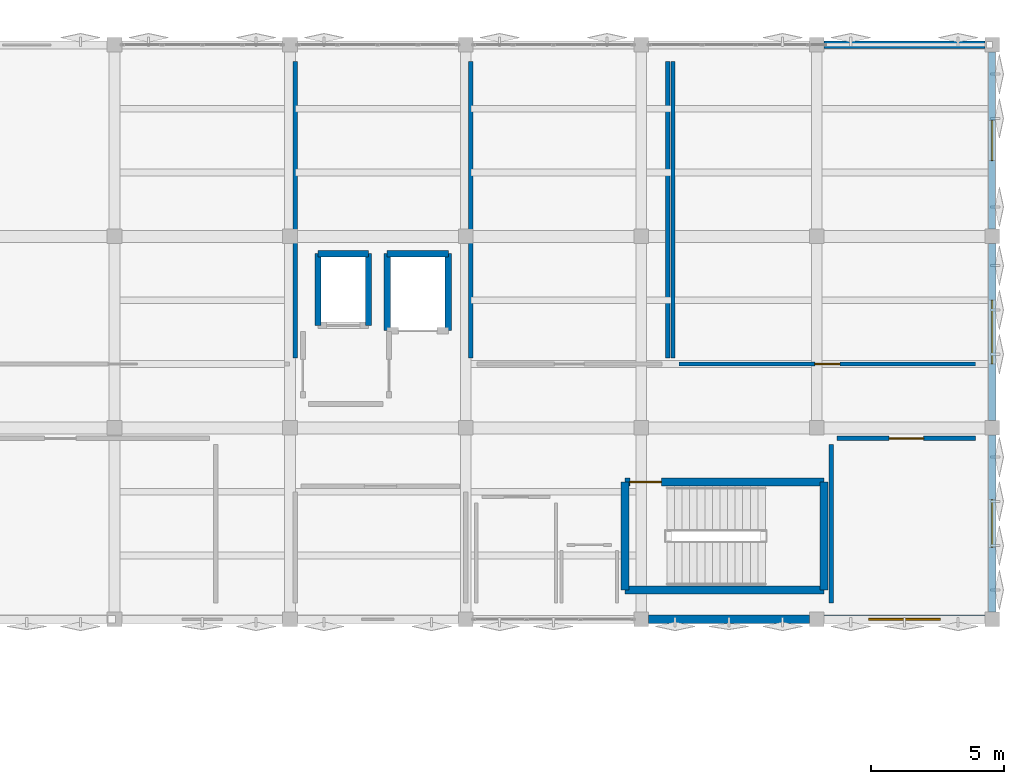
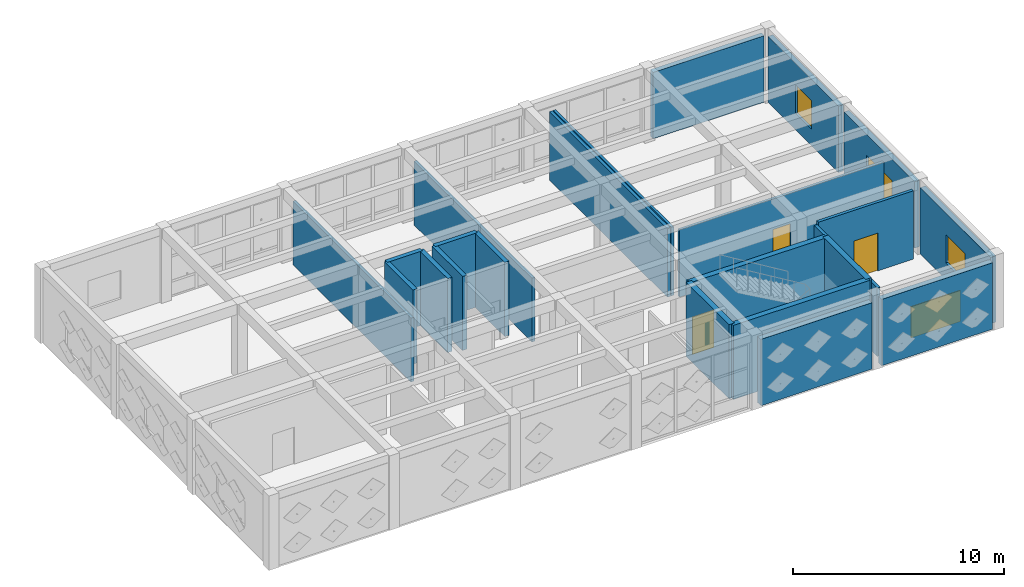
# One storey, part 30 of 36: 23 walls, 4 windows, 3 doors, 7 openings.
"""IFC4 building model written with IfcOpenShell, lengths in metres."""

import ifcopenshell
import ifcopenshell.guid

model = None  # the IFC model being written
_history = None  # IfcOwnerHistory: only IFC2X3 demands one
_inside = {}  # id of a spatial element -> (the spatial element, [elements in it])
_under = {}  # id of a project, library or spatial element -> (it, [spatial elements below it])
_declared = {}  # id of a project -> (the project, [libraries it declares])
_typed = {}  # id of a type object -> (the type object, [elements of that type])
_made_of = {}  # id of a material, layer set ... -> (it, [elements and type objects made of it])


def new_model(schema):
    """Start an empty IFC model of exactly this schema.

    Asked for "IFC4X3", IfcOpenShell would pick the latest addendum, in which some entities
    have other attributes; the version numbers below select the first issue.
    IFC2X3 requires an IfcOwnerHistory on every rooted entity: one is made here for all.
    """
    global model, _history
    if schema == "IFC4X3":
        model = ifcopenshell.file(schema_version=(4, 3, 0, 0))
    else:
        model = ifcopenshell.file(schema=schema)
    _inside.clear()
    _under.clear()
    _declared.clear()
    _typed.clear()
    _made_of.clear()
    _history = None
    if model.schema == "IFC2X3":
        org = make("IfcOrganization", Name="unknown")
        user = make(
            "IfcPersonAndOrganization",
            ThePerson=make("IfcPerson", FamilyName="unknown"),
            TheOrganization=org,
        )
        app = make(
            "IfcApplication",
            ApplicationDeveloper=org,
            Version="unknown",
            ApplicationFullName="unknown",
            ApplicationIdentifier="unknown",
        )
        _history = make(
            "IfcOwnerHistory",
            OwningUser=user,
            OwningApplication=app,
            ChangeAction="ADDED",
            CreationDate=0,
        )
    return model


def make(cls, **values):
    """One entity of the class cls with the attributes given. An attribute that is None is left unset."""
    return model.create_entity(
        cls, **{name: value for name, value in values.items() if value is not None}
    )


def rooted(cls, **values):
    """An entity with a GlobalId (a new one), such as an element, a storey or a relation."""
    return make(cls, GlobalId=ifcopenshell.guid.new(), OwnerHistory=_history, **values)


def si_unit(unit_type, name, prefix=None):
    """IfcSIUnit, for example si_unit("LENGTHUNIT", "METRE", prefix="MILLI")."""
    return make("IfcSIUnit", UnitType=unit_type, Prefix=prefix, Name=name)


def assignment(units):
    """IfcUnitAssignment: the units of a project."""
    return None if units is None else make("IfcUnitAssignment", Units=units)


def point(xyz):
    """IfcCartesianPoint."""
    return None if xyz is None else make("IfcCartesianPoint", Coordinates=xyz)


def direction(xyz):
    """IfcDirection."""
    return None if xyz is None else make("IfcDirection", DirectionRatios=xyz)


def frame(location, z_axis=None, x_axis=None):
    """IfcAxis2Placement3D, a coordinate frame: its origin and axes. An axis left out is left unset."""
    return make(
        "IfcAxis2Placement3D",
        Location=point(location),
        Axis=direction(z_axis),
        RefDirection=direction(x_axis),
    )


def frame_2d(location, x_axis=None):
    """IfcAxis2Placement2D, a coordinate frame in the plane: its origin and x axis."""
    return make(
        "IfcAxis2Placement2D", Location=point(location), RefDirection=direction(x_axis)
    )


def origin():
    """The frame at (0, 0, 0) with its axes left unset."""
    return frame((0.0, 0.0, 0.0))


def place(relative_to, where):
    """IfcLocalPlacement: puts the frame where relative to a parent placement (None: the world)."""
    return make(
        "IfcLocalPlacement", PlacementRelTo=relative_to, RelativePlacement=where
    )


def context(
    kind, dimensions, precision=None, world=None, true_north=None, identifier=None
):
    """IfcGeometricRepresentationContext, for example the 3D "Model" context."""
    return make(
        "IfcGeometricRepresentationContext",
        ContextIdentifier=identifier,
        ContextType=kind,
        CoordinateSpaceDimension=dimensions,
        Precision=precision,
        WorldCoordinateSystem=world,
        TrueNorth=true_north,
    )


def subcontext(parent, identifier, kind, view, scale=None):
    """IfcGeometricRepresentationSubContext, for example "Body" below "Model"."""
    return make(
        "IfcGeometricRepresentationSubContext",
        ContextIdentifier=identifier,
        ContextType=kind,
        ParentContext=parent,
        TargetScale=scale,
        TargetView=view,
    )


def project(units=None, contexts=None):
    """IfcProject with its units and contexts."""
    return rooted(
        "IfcProject",
        Name="project",
        RepresentationContexts=contexts,
        UnitsInContext=assignment(units),
    )


def spatial(cls, under=None, at=None, **own):
    """A site, building, storey or space (cls), placed at a placement, below another one or the project."""
    s = rooted(cls, ObjectPlacement=at, **own)
    if under is not None:
        _under.setdefault(under.id(), (under, []))[1].append(s)
    return s


def profile(cls, at=None, kind="AREA", **sizes):
    """A parametric profile (cls). Its sizes go by their IFC names, for example OverallWidth=200.0."""
    return make(cls, ProfileType=kind, Position=at, **sizes)


def rectangle(**sizes):
    """IfcRectangleProfileDef."""
    return profile("IfcRectangleProfileDef", **sizes)


def extrude(swept, where, along, depth):
    """IfcExtrudedAreaSolid: the profile swept, set in the frame where, extruded along a direction by depth."""
    return make(
        "IfcExtrudedAreaSolid",
        SweptArea=swept,
        Position=where,
        ExtrudedDirection=direction(along),
        Depth=depth,
    )


def shape(context_of_items, identifier, shape_type, items):
    """IfcShapeRepresentation: the items that make up one representation, for example the "Body"."""
    return make(
        "IfcShapeRepresentation",
        ContextOfItems=context_of_items,
        RepresentationIdentifier=identifier,
        RepresentationType=shape_type,
        Items=items,
    )


def material(Name=None, Category=None):
    """IfcMaterial."""
    return make("IfcMaterial", Name=Name, Category=Category)


def layer(
    of_material, thickness, ventilated=None, Name=None, Category=None, Priority=None
):
    """IfcMaterialLayer: one layer of a wall or slab, of a material (None: an air gap)."""
    return make(
        "IfcMaterialLayer",
        Material=of_material,
        LayerThickness=thickness,
        IsVentilated=ventilated,
        Name=Name,
        Category=Category,
        Priority=Priority,
    )


def layer_set(layers, Name=None):
    """IfcMaterialLayerSet."""
    return make("IfcMaterialLayerSet", MaterialLayers=layers, LayerSetName=Name)


def made_of(thing, what):
    """Note that an element or type object is made of a material, layer set ...; save() writes the relation."""
    if what is not None:
        _made_of.setdefault(what.id(), (what, []))[1].append(thing)
    return thing


def type_object(cls, material=None, **own):
    """A type object (cls), such as IfcWallType, which elements share."""
    return made_of(rooted(cls, **own), material)


def element(
    cls,
    number,
    at=None,
    inside=None,
    cuts=None,
    type_object=None,
    material=None,
    context=None,
    identifier="Body",
    shape_type=None,
    held_by="IfcProductDefinitionShape",
    body=None,
    shapes=None,
    **own,
):
    """One element of the class cls, such as IfcWall. Its Tag is "e" and its number.

    at: its placement. inside: the storey or other place that contains it. cuts: it is an
    opening in that element (IfcRelVoidsElement). A single representation is given by context,
    identifier, shape_type and body (its items); several are given by shapes. held_by: the class
    of the entity that holds the representations. save() writes the other relations.
    """
    e = rooted(cls, Tag="e%d" % number, ObjectPlacement=at, **own)
    if body is not None:
        shapes = [shape(context, identifier, shape_type, body)]
    if shapes is not None:
        e.Representation = make(held_by, Representations=shapes)
    if inside is not None:
        _inside.setdefault(inside.id(), (inside, []))[1].append(e)
    if cuts is not None:
        rooted(
            "IfcRelVoidsElement", RelatingBuildingElement=cuts, RelatedOpeningElement=e
        )
    if type_object is not None:
        _typed.setdefault(type_object.id(), (type_object, []))[1].append(e)
    return made_of(e, material)


def fill(opening, filler):
    """IfcRelFillsElement: the door or window that sits in an opening."""
    return rooted(
        "IfcRelFillsElement",
        RelatingOpeningElement=opening,
        RelatedBuildingElement=filler,
    )


def aggregate(whole, parts):
    """IfcRelAggregates: a whole, such as a stair, and the parts it consists of."""
    return rooted("IfcRelAggregates", RelatingObject=whole, RelatedObjects=parts)


def save(model, path):
    """Write the relations noted so far, then the file.

    IfcRelAggregates (storeys below a building ...), IfcRelContainedInSpatialStructure (elements
    in a storey), IfcRelDefinesByType, IfcRelAssociatesMaterial and IfcRelDeclares: one each for
    every whole, place, type object, material and project.
    """
    for whole, parts in _under.values():
        aggregate(whole, parts)
    for where, things in _inside.values():
        rooted(
            "IfcRelContainedInSpatialStructure",
            RelatedElements=things,
            RelatingStructure=where,
        )
    for kind, things in _typed.values():
        rooted("IfcRelDefinesByType", RelatedObjects=things, RelatingType=kind)
    for what, things in _made_of.values():
        rooted("IfcRelAssociatesMaterial", RelatedObjects=things, RelatingMaterial=what)
    for by, libraries in _declared.values():
        rooted("IfcRelDeclares", RelatingContext=by, RelatedDefinitions=libraries)
    model.write(path)


model = new_model("IFC4")

# Units and contexts
model_context = context("Model", 3, precision=1e-05, world=origin(), true_north=direction((0.0, 1.0)))
body_context = subcontext(model_context, "Body", "Model", "MODEL_VIEW")
ifc_project = project(units=[si_unit("LENGTHUNIT", "METRE"), si_unit("AREAUNIT", "SQUARE_METRE"), si_unit("VOLUMEUNIT", "CUBIC_METRE"), si_unit("PLANEANGLEUNIT", "RADIAN"), si_unit("MASSUNIT", "GRAM", prefix="KILO")], contexts=[model_context])

# Site, building, storey
site_placement = place(None, origin())
site = spatial("IfcSite", under=ifc_project, at=site_placement, CompositionType="ELEMENT")
building_placement = place(site_placement, origin())
building = spatial("IfcBuilding", under=site, at=building_placement, Name="Kharisveld Research Institute", CompositionType="ELEMENT")
storey_placement = place(building_placement, frame((0.0, 0.0, 27.60009765625)))
storey = spatial("IfcBuildingStorey", under=building, at=storey_placement, Name="L06", CompositionType="ELEMENT", Elevation=27.60009765625)

# Walls
ifc_material_1 = material(Name="Concrete C40/50", Category="concrete")
ifc_layer_1 = layer(ifc_material_1, 0.239990234375)
ifc_layer_set_1 = layer_set([ifc_layer_1], Name="WL_CORE_240")
wall_type_1 = type_object("IfcWallType", Name="WL_CORE_240", PredefinedType="SHEAR", material=ifc_layer_set_1)
wall_1_placement = place(storey_placement, frame((135.449951171875, 50.25, 0.0), z_axis=(0.0, 0.0, 1.0), x_axis=(0.0, 1.0, 0.0)))
element("IfcWall", 1, at=wall_1_placement, inside=storey, type_object=wall_type_1, Name="WL:LFT:FFL-02:L06:W", PredefinedType="SHEAR", context=body_context, shape_type="SweptSolid", body=[
    extrude(rectangle(XDim=2.699951171875, YDim=0.239990234375, at=frame_2d((1.35009765625, 0.0))), origin(), (0.0, 0.0, 1.0), 4.27978515625),
])
wall_2_placement = place(storey_placement, frame((135.449951171875, 52.949951171875, 0.0), z_axis=(0.0, 0.0, 1.0), x_axis=(1.0, 0.0, 0.0)))
element("IfcWall", 2, at=wall_2_placement, inside=storey, type_object=wall_type_1, Name="WL:LFT:FFL-02:L06:N", PredefinedType="SHEAR", context=body_context, shape_type="SweptSolid", body=[
    extrude(rectangle(XDim=1.900146484375, YDim=0.239990234375, at=frame_2d((0.9501953125, 0.0))), origin(), (0.0, 0.0, 1.0), 4.27978515625),
])
wall_3_placement = place(storey_placement, frame((137.35009765625, 52.949951171875, 0.0), z_axis=(0.0, 0.0, 1.0), x_axis=(0.0, -1.0, 0.0)))
element("IfcWall", 3, at=wall_3_placement, inside=storey, type_object=wall_type_1, Name="WL:LFT:FFL-02:L06:E", PredefinedType="SHEAR", context=body_context, shape_type="SweptSolid", body=[
    extrude(rectangle(XDim=2.699951171875, YDim=0.239990234375, at=frame_2d((1.35009765625, 0.0))), origin(), (0.0, 0.0, 1.0), 4.27978515625),
])
wall_4_placement = place(storey_placement, frame((138.050048828125, 50.050048828125, 0.0), z_axis=(0.0, 0.0, 1.0), x_axis=(0.0, 1.0, 0.0)))
element("IfcWall", 4, at=wall_4_placement, inside=storey, type_object=wall_type_1, Name="WL:LFT:GL-01:L06:W", PredefinedType="SHEAR", context=body_context, shape_type="SweptSolid", body=[
    extrude(rectangle(XDim=2.89990234375, YDim=0.239990234375, at=frame_2d((1.449951171875, 0.0))), origin(), (0.0, 0.0, 1.0), 4.27978515625),
])
wall_5_placement = place(storey_placement, frame((138.050048828125, 52.949951171875, 0.0), z_axis=(0.0, 0.0, 1.0), x_axis=(1.0, 0.0, 0.0)))
element("IfcWall", 5, at=wall_5_placement, inside=storey, type_object=wall_type_1, Name="WL:LFT:GL-01:L06:N", PredefinedType="SHEAR", context=body_context, shape_type="SweptSolid", body=[
    extrude(rectangle(XDim=2.300048828125, YDim=0.239990234375, at=frame_2d((1.14990234375, 0.0))), origin(), (0.0, 0.0, 1.0), 4.27978515625),
])
wall_6_placement = place(storey_placement, frame((140.35009765625, 52.949951171875, 0.0), z_axis=(0.0, 0.0, 1.0), x_axis=(0.0, -1.0, 0.0)))
element("IfcWall", 6, at=wall_6_placement, inside=storey, type_object=wall_type_1, Name="WL:LFT:GL-01:L06:E", PredefinedType="SHEAR", context=body_context, shape_type="SweptSolid", body=[
    extrude(rectangle(XDim=2.89990234375, YDim=0.239990234375, at=frame_2d((1.449951171875, 0.0))), origin(), (0.0, 0.0, 1.0), 4.27978515625),
])
ifc_material_2 = material(Name="Concrete C40/50", Category="concrete")
ifc_layer_2 = layer(ifc_material_2, 0.300048828125)
ifc_layer_set_2 = layer_set([ifc_layer_2], Name="WL_CORE_300")
wall_type_2 = type_object("IfcWallType", Name="WL_CORE_300", PredefinedType="SHEAR", material=ifc_layer_set_2)
wall_7_placement = place(storey_placement, frame((147.0, 40.300048828125, 0.0), z_axis=(0.0, 0.0, 1.0), x_axis=(0.0, 1.0, 0.0)))
element("IfcWall", 7, at=wall_7_placement, inside=storey, type_object=wall_type_2, Name="WL:STR:ST3:L06:W", PredefinedType="SHEAR", context=body_context, shape_type="SweptSolid", body=[
    extrude(rectangle(XDim=4.06005859375, YDim=0.300048828125, at=frame_2d((2.030029296875, 0.0))), origin(), (0.0, 0.0, 1.0), 4.27978515625),
])

# Wall, opening, door
wall_8_placement = place(storey_placement, frame((147.0, 44.360107421875, 0.0), z_axis=(0.0, 0.0, 1.0), x_axis=(1.0, 0.0, 0.0)))
wall_8 = element("IfcWall", 8, at=wall_8_placement, inside=storey, type_object=wall_type_2, Name="WL:STR:ST3:L06:N", PredefinedType="SHEAR", context=body_context, shape_type="SweptSolid", body=[
    extrude(rectangle(XDim=7.469970703125, YDim=0.300048828125, at=frame_2d((3.73486328125, 0.0))), origin(), (0.0, 0.0, 1.0), 4.27978515625),
])
opening_1_placement = place(wall_8_placement, frame((0.179931640625, 0.0, 0.0)))
opening_1 = element("IfcOpeningElement", 9, at=opening_1_placement, cuts=wall_8, Name="Opening DS-034", PredefinedType="OPENING", context=body_context, shape_type="SweptSolid", body=[
    extrude(rectangle(XDim=1.179931640625, YDim=2.14990234375, at=frame_2d((0.58984375, 1.074951171875))), frame((0.0, 0.14990234375, 0.0), z_axis=(0.0, -1.0, 0.0), x_axis=(1.0, 0.0, 0.0)), (0.0, 0.0, 1.0), 0.300048828125),
])
ifc_material_3 = material(Name="Flush Painted Hardwood and Anodised Aluminium", Category="wood")
door_type_1 = type_object("IfcDoorType", Name="DR_FD60_118", OperationType="NOTDEFINED", PredefinedType="DOOR", material=ifc_material_3)
door_1_placement = place(opening_1_placement, origin())
door_1 = element("IfcDoor", 10, at=door_1_placement, inside=storey, type_object=door_type_1, Name="DR:STR:ST3:L06", OperationType="SINGLE_SWING_LEFT", OverallHeight=2.14990234375, OverallWidth=1.179931640625, PredefinedType="DOOR", context=body_context, shape_type="SweptSolid", body=[
    extrude(rectangle(XDim=1.179931640625, YDim=2.14990234375, at=frame_2d((0.58984375, 1.074951171875))), frame((0.0, 0.02490234375, 0.0), z_axis=(0.0, -1.0, 0.0), x_axis=(1.0, 0.0, 0.0)), (0.0, 0.0, 1.0), 0.050048828125),
])
fill(opening_1, door_1)

# Walls
wall_9_placement = place(storey_placement, frame((154.469970703125, 44.360107421875, 0.0), z_axis=(0.0, 0.0, 1.0), x_axis=(0.0, -1.0, 0.0)))
element("IfcWall", 11, at=wall_9_placement, inside=storey, type_object=wall_type_2, Name="WL:STR:ST3:L06:E", PredefinedType="SHEAR", context=body_context, shape_type="SweptSolid", body=[
    extrude(rectangle(XDim=4.06005859375, YDim=0.300048828125, at=frame_2d((2.030029296875, 0.0))), origin(), (0.0, 0.0, 1.0), 4.27978515625),
])
wall_10_placement = place(storey_placement, frame((154.469970703125, 40.300048828125, 0.0), z_axis=(0.0, 0.0, 1.0), x_axis=(-1.0, 0.0, 0.0)))
element("IfcWall", 12, at=wall_10_placement, inside=storey, type_object=wall_type_2, Name="WL:STR:ST3:L06:S", PredefinedType="SHEAR", context=body_context, shape_type="SweptSolid", body=[
    extrude(rectangle(XDim=7.469970703125, YDim=0.300048828125, at=frame_2d((3.73486328125, 0.0))), origin(), (0.0, 0.0, 1.0), 4.27978515625),
])

# Wall, opening, window
ifc_material_4 = material(Name="Precast Concrete C40/50 Thermal Wall", Category="concrete")
ifc_layer_3 = layer(ifc_material_4, 0.260009765625)
ifc_layer_set_3 = layer_set([ifc_layer_3], Name="WL_EXT_260")
wall_type_3 = type_object("IfcWallType", Name="WL_EXT_260", PredefinedType="STANDARD", material=ifc_layer_set_3)
wall_11_placement = place(storey_placement, frame((160.800048828125, 60.530029296875, 0.0), z_axis=(0.0, 0.0, 1.0), x_axis=(0.0, -1.0, 0.0)))
wall_11 = element("IfcWall", 13, at=wall_11_placement, inside=storey, type_object=wall_type_3, Name="WL:V2:L06:E3", PredefinedType="STANDARD", context=body_context, shape_type="SweptSolid", body=[
    extrude(rectangle(XDim=6.659912109375, YDim=0.260009765625, at=frame_2d((3.330078125, 0.0))), origin(), (0.0, 0.0, 1.0), 3.8349609375),
])
opening_2_placement = place(wall_11_placement, frame((2.580078125, 0.0, 0.949951171875)))
opening_2 = element("IfcOpeningElement", 14, at=opening_2_placement, cuts=wall_11, Name="Opening WN-03", PredefinedType="OPENING", context=body_context, shape_type="SweptSolid", body=[
    extrude(rectangle(XDim=1.5, YDim=1.64990234375, at=frame_2d((0.75, 0.824951171875))), frame((0.0, 0.1298828125, 0.0), z_axis=(0.0, -1.0, 0.0), x_axis=(1.0, 0.0, 0.0)), (0.0, 0.0, 1.0), 0.260009765625),
])
ifc_material_5 = material(Name="Low-E Double Glazing", Category="glass")
window_type_1 = type_object("IfcWindowType", Name="WN_03", PartitioningType="DOUBLE_PANEL_VERTICAL", PredefinedType="WINDOW", material=ifc_material_5)
window_1_placement = place(opening_2_placement, origin())
window_1 = element("IfcWindow", 15, at=window_1_placement, inside=storey, type_object=window_type_1, Name="WN:V2:L06:E3", OverallHeight=1.64990234375, OverallWidth=1.5, PartitioningType="SINGLE_PANEL", PredefinedType="WINDOW", context=body_context, shape_type="SweptSolid", body=[
    extrude(rectangle(XDim=1.5, YDim=1.64990234375, at=frame_2d((0.75, 0.824951171875))), frame((0.0, 0.030029296875, 0.0), z_axis=(0.0, -1.0, 0.0), x_axis=(1.0, 0.0, 0.0)), (0.0, 0.0, 1.0), 0.06005859375),
])
fill(opening_2, window_1)

# Wall
ifc_material_6 = material(Name="Precast Concrete C40/50 Thermal Wall", Category="concrete")
ifc_layer_4 = layer(ifc_material_6, 0.27490234375)
ifc_layer_set_4 = layer_set([ifc_layer_4], Name="WL_EXT_275")
wall_type_4 = type_object("IfcWallType", Name="WL_EXT_275", PredefinedType="STANDARD", material=ifc_layer_set_4)
wall_12_placement = place(storey_placement, frame((154.469970703125, 60.800048828125, 0.0), z_axis=(0.0, 0.0, 1.0), x_axis=(1.0, 0.0, 0.0)))
element("IfcWall", 16, at=wall_12_placement, inside=storey, type_object=wall_type_4, Name="WL:V2:L06:N6", PredefinedType="STANDARD", context=body_context, shape_type="SweptSolid", body=[
    extrude(rectangle(XDim=6.06005859375, YDim=0.27490234375, at=frame_2d((3.030029296875, 0.0))), origin(), (0.0, 0.0, 1.0), 3.8349609375),
])

# Wall, opening, window
wall_13_placement = place(storey_placement, frame((160.800048828125, 53.330078125, 0.0), z_axis=(0.0, 0.0, 1.0), x_axis=(0.0, -1.0, 0.0)))
wall_13 = element("IfcWall", 17, at=wall_13_placement, inside=storey, type_object=wall_type_4, Name="WL:V2:L06:E2", PredefinedType="STANDARD", context=body_context, shape_type="SweptSolid", body=[
    extrude(rectangle(XDim=6.66015625, YDim=0.27490234375, at=frame_2d((3.330078125, 0.0))), origin(), (0.0, 0.0, 1.0), 3.8349609375),
])
opening_3_placement = place(wall_13_placement, frame((2.1298828125, 0.0, 0.949951171875)))
opening_3 = element("IfcOpeningElement", 18, at=opening_3_placement, cuts=wall_13, Name="Opening WN-02", PredefinedType="OPENING", context=body_context, shape_type="SweptSolid", body=[
    extrude(rectangle(XDim=2.39990234375, YDim=1.64990234375, at=frame_2d((1.199951171875, 0.824951171875))), frame((0.0, 0.137451171875, 0.0), z_axis=(0.0, -1.0, 0.0), x_axis=(1.0, 0.0, 0.0)), (0.0, 0.0, 1.0), 0.27490234375),
])
ifc_material_7 = material(Name="Low-E Double Glazing", Category="glass")
window_type_2 = type_object("IfcWindowType", Name="WN_02", PartitioningType="TRIPLE_PANEL_VERTICAL", PredefinedType="WINDOW", material=ifc_material_7)
window_2_placement = place(opening_3_placement, origin())
window_2 = element("IfcWindow", 19, at=window_2_placement, inside=storey, type_object=window_type_2, Name="WN:V2:L06:E2", OverallHeight=1.64990234375, OverallWidth=2.39990234375, PartitioningType="SINGLE_PANEL", PredefinedType="WINDOW", context=body_context, shape_type="SweptSolid", body=[
    extrude(rectangle(XDim=2.39990234375, YDim=1.64990234375, at=frame_2d((1.199951171875, 0.824951171875))), frame((0.0, 0.030029296875, 0.0), z_axis=(0.0, -1.0, 0.0), x_axis=(1.0, 0.0, 0.0)), (0.0, 0.0, 1.0), 0.06005859375),
])
fill(opening_3, window_2)

ifc_material_8 = material(Name="Precast Concrete C40/50 Thermal Wall", Category="concrete")
ifc_layer_5 = layer(ifc_material_8, 0.2900390625)
ifc_layer_set_5 = layer_set([ifc_layer_5], Name="WL_EXT_290")
wall_type_5 = type_object("IfcWallType", Name="WL_EXT_290", PredefinedType="STANDARD", material=ifc_layer_set_5)
wall_14_placement = place(storey_placement, frame((160.800048828125, 46.1298828125, 0.0), z_axis=(0.0, 0.0, 1.0), x_axis=(0.0, -1.0, 0.0)))
wall_14 = element("IfcWall", 20, at=wall_14_placement, inside=storey, type_object=wall_type_5, Name="WL:V2:L06:E1", PredefinedType="STANDARD", context=body_context, shape_type="SweptSolid", body=[
    extrude(rectangle(XDim=6.659912109375, YDim=0.2900390625, at=frame_2d((3.330078125, 0.0))), origin(), (0.0, 0.0, 1.0), 3.8349609375),
])
opening_4_placement = place(wall_14_placement, frame((2.429931640625, 0.0, 0.949951171875)))
opening_4 = element("IfcOpeningElement", 21, at=opening_4_placement, cuts=wall_14, Name="Opening WN-01", PredefinedType="OPENING", context=body_context, shape_type="SweptSolid", body=[
    extrude(rectangle(XDim=1.800048828125, YDim=1.64990234375, at=frame_2d((0.89990234375, 0.824951171875))), frame((0.0, 0.14501953125, 0.0), z_axis=(0.0, -1.0, 0.0), x_axis=(1.0, 0.0, 0.0)), (0.0, 0.0, 1.0), 0.2900390625),
])
ifc_material_9 = material(Name="Low-E Double Glazing", Category="glass")
window_type_3 = type_object("IfcWindowType", Name="WN_01", PartitioningType="DOUBLE_PANEL_VERTICAL", PredefinedType="WINDOW", material=ifc_material_9)
window_3_placement = place(opening_4_placement, origin())
window_3 = element("IfcWindow", 22, at=window_3_placement, inside=storey, type_object=window_type_3, Name="WN:V2:L06:E1", OverallHeight=1.64990234375, OverallWidth=1.800048828125, PartitioningType="SINGLE_PANEL", PredefinedType="WINDOW", context=body_context, shape_type="SweptSolid", body=[
    extrude(rectangle(XDim=1.800048828125, YDim=1.64990234375, at=frame_2d((0.89990234375, 0.824951171875))), frame((0.0, 0.030029296875, 0.0), z_axis=(0.0, -1.0, 0.0), x_axis=(1.0, 0.0, 0.0)), (0.0, 0.0, 1.0), 0.06005859375),
])
fill(opening_4, window_3)

ifc_material_10 = material(Name="Precast Concrete C40/50 Ochre Panel", Category="concrete")
ifc_layer_6 = layer(ifc_material_10, 0.304931640625)
ifc_layer_set_6 = layer_set([ifc_layer_6], Name="WL_EXT_305")
wall_type_6 = type_object("IfcWallType", Name="WL_EXT_305", PredefinedType="STANDARD", material=ifc_layer_set_6)
wall_15_placement = place(storey_placement, frame((160.530029296875, 39.199951171875, 0.0), z_axis=(0.0, 0.0, 1.0), x_axis=(-1.0, 0.0, 0.0)))
wall_15 = element("IfcWall", 23, at=wall_15_placement, inside=storey, type_object=wall_type_6, Name="WL:V2:L06:S7", PredefinedType="STANDARD", context=body_context, shape_type="SweptSolid", body=[
    extrude(rectangle(XDim=6.06005859375, YDim=0.304931640625, at=frame_2d((3.030029296875, 0.0))), origin(), (0.0, 0.0, 1.0), 3.8349609375),
])
opening_5_placement = place(wall_15_placement, frame((1.679931640625, 0.0, 0.949951171875)))
opening_5 = element("IfcOpeningElement", 24, at=opening_5_placement, cuts=wall_15, Name="Opening WN-07", PredefinedType="OPENING", context=body_context, shape_type="SweptSolid", body=[
    extrude(rectangle(XDim=2.699951171875, YDim=1.800048828125, at=frame_2d((1.35009765625, 0.89990234375))), frame((0.0, 0.15234375, 0.0), z_axis=(0.0, -1.0, 0.0), x_axis=(1.0, 0.0, 0.0)), (0.0, 0.0, 1.0), 0.304931640625),
])
ifc_material_11 = material(Name="Low-E Double Glazing", Category="glass")
window_type_4 = type_object("IfcWindowType", Name="WN_07", PartitioningType="TRIPLE_PANEL_VERTICAL", PredefinedType="WINDOW", material=ifc_material_11)
window_4_placement = place(opening_5_placement, origin())
window_4 = element("IfcWindow", 25, at=window_4_placement, inside=storey, type_object=window_type_4, Name="WN:V2:L06:S7", OverallHeight=1.800048828125, OverallWidth=2.699951171875, PartitioningType="SINGLE_PANEL", PredefinedType="WINDOW", context=body_context, shape_type="SweptSolid", body=[
    extrude(rectangle(XDim=2.699951171875, YDim=1.800048828125, at=frame_2d((1.35009765625, 0.89990234375))), frame((0.0, 0.030029296875, 0.0), z_axis=(0.0, -1.0, 0.0), x_axis=(1.0, 0.0, 0.0)), (0.0, 0.0, 1.0), 0.06005859375),
])
fill(opening_5, window_4)

# Walls
wall_16_placement = place(storey_placement, frame((153.929931640625, 39.199951171875, 0.0), z_axis=(0.0, 0.0, 1.0), x_axis=(-1.0, 0.0, 0.0)))
element("IfcWall", 26, at=wall_16_placement, inside=storey, type_object=wall_type_6, Name="WL:V2:L06:S6", PredefinedType="STANDARD", context=body_context, shape_type="SweptSolid", body=[
    extrude(rectangle(XDim=6.059814453125, YDim=0.304931640625, at=frame_2d((3.02978515625, 0.0))), origin(), (0.0, 0.0, 1.0), 3.8349609375),
])
ifc_material_12 = material(Name="Acoustic Drywall Partition", Category="mineral")
ifc_layer_7 = layer(ifc_material_12, 0.1650390625)
ifc_layer_set_7 = layer_set([ifc_layer_7], Name="WL_LAB_165")
wall_type_7 = type_object("IfcWallType", Name="WL_LAB_165", PredefinedType="PARTITIONING", material=ifc_layer_set_7)
wall_17_placement = place(storey_placement, frame((134.60009765625, 49.02001953125, 0.0), z_axis=(0.0, 0.0, 1.0), x_axis=(0.0, 1.0, 0.0)))
element("IfcWall", 27, at=wall_17_placement, inside=storey, type_object=wall_type_7, Name="WL:RM:V2:L06:WLA:E", PredefinedType="PARTITIONING", context=body_context, shape_type="SweptSolid", body=[
    extrude(rectangle(XDim=11.159912109375, YDim=0.1650390625, at=frame_2d((5.580078125, 0.0))), origin(), (0.0, 0.0, 1.0), 3.684814453125),
])
wall_18_placement = place(storey_placement, frame((148.60009765625, 49.02001953125, 0.0), z_axis=(0.0, 0.0, 1.0), x_axis=(0.0, 1.0, 0.0)))
element("IfcWall", 28, at=wall_18_placement, inside=storey, type_object=wall_type_7, Name="WL:RM:V2:L06:WLB:E", PredefinedType="PARTITIONING", context=body_context, shape_type="SweptSolid", body=[
    extrude(rectangle(XDim=11.159912109375, YDim=0.1650390625, at=frame_2d((5.580078125, 0.0))), origin(), (0.0, 0.0, 1.0), 3.949951171875),
])
wall_19_placement = place(storey_placement, frame((141.199951171875, 60.179931640625, 0.0), z_axis=(0.0, 0.0, 1.0), x_axis=(0.0, -1.0, 0.0)))
element("IfcWall", 29, at=wall_19_placement, inside=storey, type_object=wall_type_7, Name="WL:RM:V2:L06:WLB:W", PredefinedType="PARTITIONING", context=body_context, shape_type="SweptSolid", body=[
    extrude(rectangle(XDim=11.159912109375, YDim=0.1650390625, at=frame_2d((5.580078125, 0.0))), origin(), (0.0, 0.0, 1.0), 3.684814453125),
])

# Wall, opening, door
wall_20_placement = place(storey_placement, frame((160.179931640625, 46.0, 0.0), z_axis=(0.0, 0.0, 1.0), x_axis=(-1.0, 0.0, 0.0)))
wall_20 = element("IfcWall", 30, at=wall_20_placement, inside=storey, type_object=wall_type_7, Name="WL:RM:V2:L06:SEM:N", PredefinedType="PARTITIONING", context=body_context, shape_type="SweptSolid", body=[
    extrude(rectangle(XDim=5.2099609375, YDim=0.1650390625, at=frame_2d((2.60498046875, 0.0))), origin(), (0.0, 0.0, 1.0), 3.949951171875),
])
opening_6_placement = place(wall_20_placement, frame((1.955078125, 0.0, 0.0)))
opening_6 = element("IfcOpeningElement", 31, at=opening_6_placement, cuts=wall_20, Name="Opening DI-252", PredefinedType="OPENING", context=body_context, shape_type="SweptSolid", body=[
    extrude(rectangle(XDim=1.300048828125, YDim=2.179931640625, at=frame_2d((0.64990234375, 1.08984375))), frame((0.0, 0.08251953125, 0.0), z_axis=(0.0, -1.0, 0.0), x_axis=(1.0, 0.0, 0.0)), (0.0, 0.0, 1.0), 0.1650390625),
])
ifc_material_13 = material(Name="Flush Painted Hardwood and Anodised Aluminium", Category="wood")
door_type_2 = type_object("IfcDoorType", Name="DR_SEM_130", OperationType="DOUBLE_DOOR_SINGLE_SWING", PredefinedType="DOOR", material=ifc_material_13)
door_2_placement = place(opening_6_placement, origin())
door_2 = element("IfcDoor", 32, at=door_2_placement, inside=storey, type_object=door_type_2, Name="DR:RM:V2:L06:SEM:N", OperationType="DOUBLE_DOOR_SINGLE_SWING", OverallHeight=2.179931640625, OverallWidth=1.300048828125, PredefinedType="DOOR", context=body_context, shape_type="SweptSolid", body=[
    extrude(rectangle(XDim=1.300048828125, YDim=2.179931640625, at=frame_2d((0.64990234375, 1.08984375))), frame((0.0, 0.02490234375, 0.0), z_axis=(0.0, -1.0, 0.0), x_axis=(1.0, 0.0, 0.0)), (0.0, 0.0, 1.0), 0.050048828125),
])
fill(opening_6, door_2)

# Wall
wall_21_placement = place(storey_placement, frame((154.75, 45.780029296875, 0.0), z_axis=(0.0, 0.0, 1.0), x_axis=(0.0, -1.0, 0.0)))
element("IfcWall", 33, at=wall_21_placement, inside=storey, type_object=wall_type_7, Name="WL:RM:V2:L06:SEM:W", PredefinedType="PARTITIONING", context=body_context, shape_type="SweptSolid", body=[
    extrude(rectangle(XDim=5.9599609375, YDim=0.1650390625, at=frame_2d((2.97998046875, 0.0))), origin(), (0.0, 0.0, 1.0), 3.949951171875),
])

# Wall, opening, door
ifc_material_14 = material(Name="Insulated Stud Partition", Category="mineral")
ifc_layer_8 = layer(ifc_material_14, 0.139892578125)
ifc_layer_set_8 = layer_set([ifc_layer_8], Name="WL_OFF_140")
wall_type_8 = type_object("IfcWallType", Name="WL_OFF_140", PredefinedType="PARTITIONING", material=ifc_layer_set_8)
wall_22_placement = place(storey_placement, frame((149.02001953125, 48.800048828125, 0.0), z_axis=(0.0, 0.0, 1.0), x_axis=(1.0, 0.0, 0.0)))
wall_22 = element("IfcWall", 34, at=wall_22_placement, inside=storey, type_object=wall_type_8, Name="WL:RM:V2:L06:WLD:S", PredefinedType="PARTITIONING", context=body_context, shape_type="SweptSolid", body=[
    extrude(rectangle(XDim=11.159912109375, YDim=0.139892578125, at=frame_2d((5.580078125, 0.0))), origin(), (0.0, 0.0, 1.0), 3.885009765625),
])
opening_7_placement = place(wall_22_placement, frame((5.110107421875, 0.0, 0.0)))
opening_7 = element("IfcOpeningElement", 35, at=opening_7_placement, cuts=wall_22, Name="Opening DI-249", PredefinedType="OPENING", context=body_context, shape_type="SweptSolid", body=[
    extrude(rectangle(XDim=0.93994140625, YDim=2.1201171875, at=frame_2d((0.469970703125, 1.06005859375))), frame((0.0, 0.06982421875, 0.0), z_axis=(0.0, -1.0, 0.0), x_axis=(1.0, 0.0, 0.0)), (0.0, 0.0, 1.0), 0.139892578125),
])
ifc_material_15 = material(Name="Flush Painted Hardwood and Anodised Aluminium", Category="wood")
door_type_3 = type_object("IfcDoorType", Name="DR_OFF_094", OperationType="NOTDEFINED", PredefinedType="DOOR", material=ifc_material_15)
door_3_placement = place(opening_7_placement, origin())
door_3 = element("IfcDoor", 36, at=door_3_placement, inside=storey, type_object=door_type_3, Name="DR:RM:V2:L06:WLD:S", OperationType="SINGLE_SWING_LEFT", OverallHeight=2.1201171875, OverallWidth=0.93994140625, PredefinedType="DOOR", context=body_context, shape_type="SweptSolid", body=[
    extrude(rectangle(XDim=0.93994140625, YDim=2.1201171875, at=frame_2d((0.469970703125, 1.06005859375))), frame((0.0, 0.02490234375, 0.0), z_axis=(0.0, -1.0, 0.0), x_axis=(1.0, 0.0, 0.0)), (0.0, 0.0, 1.0), 0.050048828125),
])
fill(opening_7, door_3)

# Wall
wall_23_placement = place(storey_placement, frame((148.800048828125, 60.179931640625, 0.0), z_axis=(0.0, 0.0, 1.0), x_axis=(0.0, -1.0, 0.0)))
element("IfcWall", 37, at=wall_23_placement, inside=storey, type_object=wall_type_8, Name="WL:RM:V2:L06:WLD:W", PredefinedType="PARTITIONING", context=body_context, shape_type="SweptSolid", body=[
    extrude(rectangle(XDim=11.159912109375, YDim=0.139892578125, at=frame_2d((5.580078125, 0.0))), origin(), (0.0, 0.0, 1.0), 3.949951171875),
])

save(model, "model.ifc")
